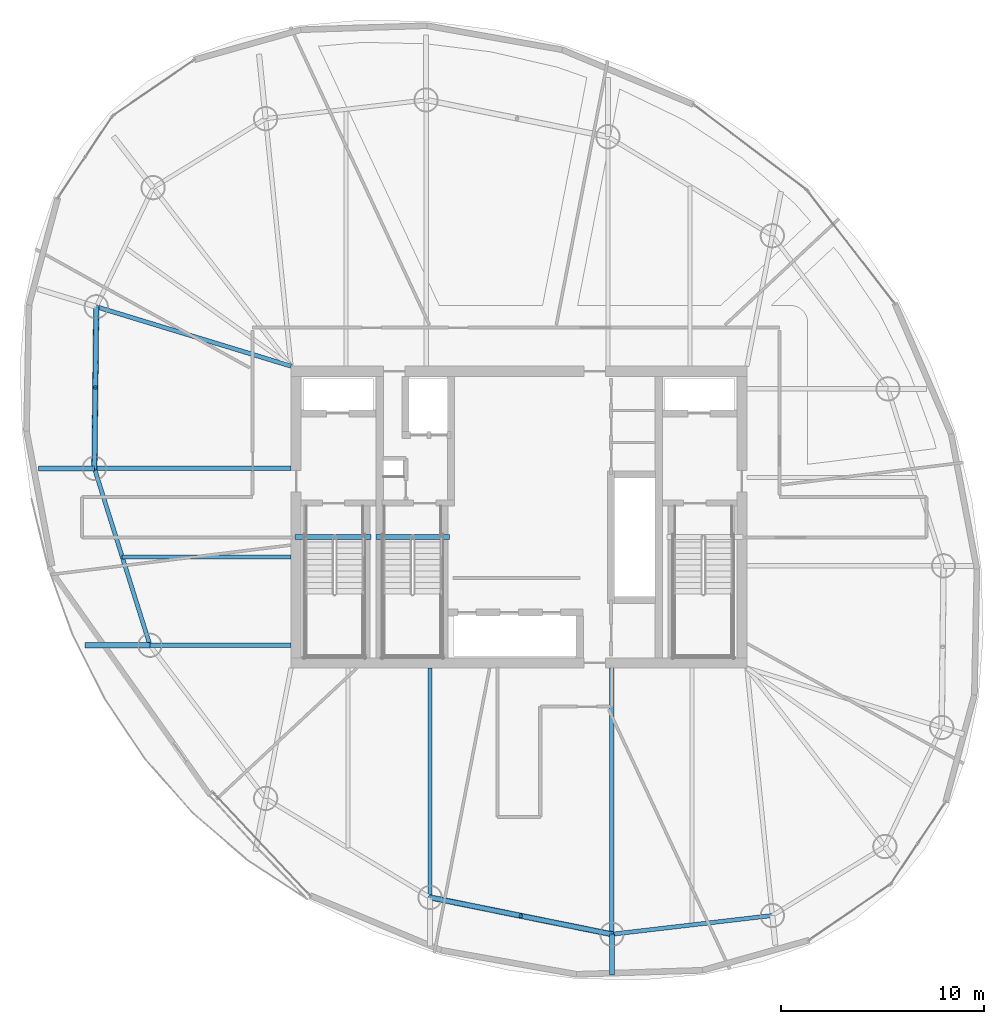
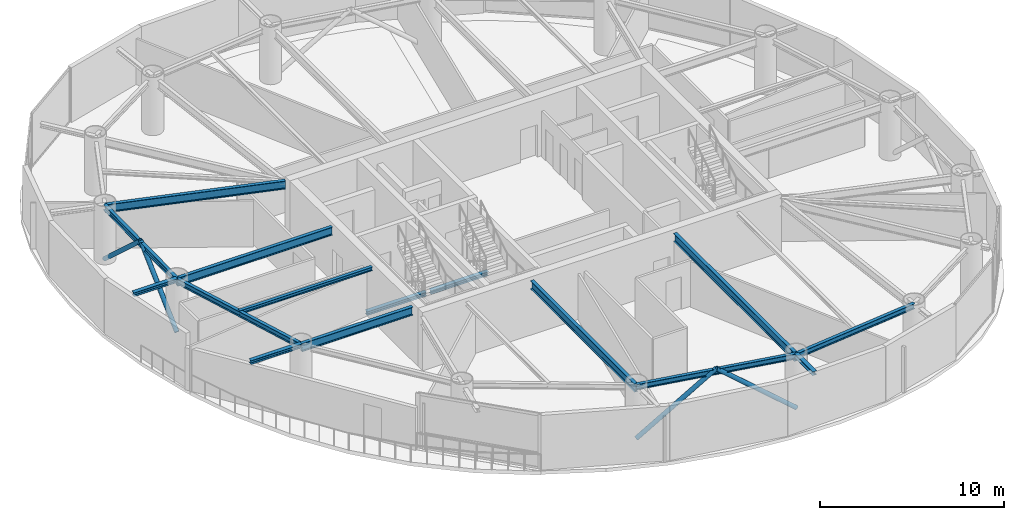
# One storey, part 3 of 16: 15 beams, 4 members.
"""IFC4 building model written with IfcOpenShell, lengths in metres."""

from ifc_helpers import new_model, si_unit, direction, frame, origin, origin_2d, place, context, subcontext, project, spatial, hollow_circle, i_section, extrude, material, material_profile, profile_set, type_object, element, save


model = new_model("IFC4")

# Units and contexts
model_context = context("Model", 3, precision=1e-05, world=origin(), true_north=direction((0.0, 1.0)))
body_context = subcontext(model_context, "Body", "Model", "MODEL_VIEW")
ifc_project = project(units=[si_unit("LENGTHUNIT", "METRE"), si_unit("AREAUNIT", "SQUARE_METRE"), si_unit("VOLUMEUNIT", "CUBIC_METRE"), si_unit("PLANEANGLEUNIT", "RADIAN"), si_unit("MASSUNIT", "GRAM", prefix="KILO")], contexts=[model_context])

# Site, building, storey
site_placement = place(None, origin())
site = spatial("IfcSite", under=ifc_project, at=site_placement, CompositionType="ELEMENT")
building_placement = place(site_placement, origin())
building = spatial("IfcBuilding", under=site, at=building_placement, Name="Bramvorn Convention Spire", CompositionType="ELEMENT")
storey_placement = place(building_placement, frame((0.0, 0.0, 209.699951171875)))
storey = spatial("IfcBuildingStorey", under=building, at=storey_placement, Name="L53", CompositionType="ELEMENT", Elevation=209.699951171875)

# Beams
ifc_material = material(Name="Steel CSA G40.21 Grade 350 (350W)", Category="steel")
ifc_material_profile_1 = material_profile(ifc_material, i_section(OverallWidth=0.201904296875, OverallDepth=0.2470703125, WebThickness=0.00732421875, FlangeThickness=0.010986328125, FilletRadius=0.011962890625, at=origin_2d()))
ifc_profile_set_1 = profile_set([ifc_material_profile_1], Name="Steel CSA G40.21 Grade 350 (350W) - W250X49")
beam_type_1 = type_object("IfcBeamType", Name="BM-W250X49", PredefinedType="JOIST", material=ifc_profile_set_1)
beam_1_placement = place(storey_placement, frame((26.75, 24.039794921875, 3.49658203125), z_axis=(-1.0, 0.0, 0.0), x_axis=(0.0, -1.0, 0.0)))
element("IfcBeam", 1, at=beam_1_placement, inside=storey, type_object=beam_type_1, Name="L53 composite floor joist 11", PredefinedType="JOIST", context=body_context, shape_type="SweptSolid", body=[
    extrude(i_section(OverallWidth=0.201904296875, OverallDepth=0.2470703125, WebThickness=0.00732421875, FlangeThickness=0.010986328125, FilletRadius=0.011962890625, at=origin_2d()), origin(), (0.0, 0.0, 1.0), 8.33251953125),
])
ifc_material_profile_2 = material_profile(ifc_material, i_section(OverallWidth=0.25390625, OverallDepth=0.2529296875, WebThickness=0.008544921875, FlangeThickness=0.01416015625, FilletRadius=0.011962890625, at=origin_2d()))
ifc_profile_set_2 = profile_set([ifc_material_profile_2], Name="Steel CSA G40.21 Grade 350 (350W) - W250X73")
beam_type_2 = type_object("IfcBeamType", Name="BM-W250X73", PredefinedType="BEAM", material=ifc_profile_set_2)
beam_2_placement = place(storey_placement, frame((17.04541015625, 28.406494140625, 3.49365234375), z_axis=(-1.0, 0.0, 0.0), x_axis=(0.0, -1.0, 0.0)))
element("IfcBeam", 2, at=beam_2_placement, inside=storey, type_object=beam_type_2, Name="L53 slab-edge cantilever tip beam MC11", PredefinedType="BEAM", context=body_context, shape_type="SweptSolid", body=[
    extrude(i_section(OverallWidth=0.25390625, OverallDepth=0.2529296875, WebThickness=0.008544921875, FlangeThickness=0.01416015625, FilletRadius=0.011962890625, at=origin_2d()), origin(), (0.0, 0.0, 1.0), 2.747802734375),
])
beam_3_placement = place(storey_placement, frame((19.78955078125, 19.672607421875, 3.49365234375), z_axis=(-1.0, 0.0, 0.0), x_axis=(0.0, -1.0, 0.0)))
element("IfcBeam", 3, at=beam_3_placement, inside=storey, type_object=beam_type_2, Name="L53 slab-edge cantilever tip beam MC12", PredefinedType="BEAM", context=body_context, shape_type="SweptSolid", body=[
    extrude(i_section(OverallWidth=0.25390625, OverallDepth=0.2529296875, WebThickness=0.008544921875, FlangeThickness=0.01416015625, FilletRadius=0.011962890625, at=origin_2d()), origin(), (0.0, 0.0, 1.0), 3.199951171875),
])
beam_4_placement = place(storey_placement, frame((42.583740234375, 5.41162109375, 3.49365234375), z_axis=(0.0, -1.0, 0.0), x_axis=(1.0, 0.0, 0.0)))
element("IfcBeam", 4, at=beam_4_placement, inside=storey, type_object=beam_type_2, Name="L53 slab-edge cantilever tip beam MC15", PredefinedType="BEAM", context=body_context, shape_type="SweptSolid", body=[
    extrude(i_section(OverallWidth=0.25390625, OverallDepth=0.2529296875, WebThickness=0.008544921875, FlangeThickness=0.01416015625, FilletRadius=0.011962890625, at=origin_2d()), origin(), (0.0, 0.0, 1.0), 2.011474609375),
])
beam_5_placement = place(storey_placement, frame((26.949951171875, 25.010009765625, -0.12646484375), z_axis=(1.0, 0.0, 0.0), x_axis=(0.0, 1.0, 0.0)))
element("IfcBeam", 5, at=beam_5_placement, inside=storey, type_object=beam_type_2, Name="L53 ST1 stair arrival header beam", PredefinedType="BEAM", context=body_context, shape_type="SweptSolid", body=[
    extrude(i_section(OverallWidth=0.25390625, OverallDepth=0.2529296875, WebThickness=0.008544921875, FlangeThickness=0.01416015625, FilletRadius=0.011962890625, at=origin_2d()), origin(), (0.0, 0.0, 1.0), 3.739990234375),
])
beam_6_placement = place(storey_placement, frame((30.949951171875, 25.010009765625, -0.12646484375), z_axis=(1.0, 0.0, 0.0), x_axis=(0.0, 1.0, 0.0)))
element("IfcBeam", 6, at=beam_6_placement, inside=storey, type_object=beam_type_2, Name="L53 ST3 stair arrival header beam", PredefinedType="BEAM", context=body_context, shape_type="SweptSolid", body=[
    extrude(i_section(OverallWidth=0.25390625, OverallDepth=0.2529296875, WebThickness=0.008544921875, FlangeThickness=0.01416015625, FilletRadius=0.011962890625, at=origin_2d()), origin(), (0.0, 0.0, 1.0), 3.610107421875),
])
ifc_material_profile_3 = material_profile(ifc_material, i_section(OverallWidth=0.205078125, OverallDepth=0.35400390625, WebThickness=0.009521484375, FlangeThickness=0.016845703125, FilletRadius=0.014892578125, at=origin_2d()))
ifc_profile_set_3 = profile_set([ifc_material_profile_3], Name="Steel CSA G40.21 Grade 350 (350W) - W360X79")
beam_type_3 = type_object("IfcBeamType", Name="BM-W360X79", PredefinedType="JOIST", material=ifc_profile_set_3)
beam_7_placement = place(storey_placement, frame((17.136962890625, 36.380615234375, 3.443115234375), z_axis=(-0.011480475367, -0.999934097171, 0.0), x_axis=(0.999934097171, -0.011480475367, 0.0)))
element("IfcBeam", 7, at=beam_7_placement, inside=storey, type_object=beam_type_3, Name="L53 mega-column ring beam 10", PredefinedType="JOIST", context=body_context, shape_type="SweptSolid", body=[
    extrude(i_section(OverallWidth=0.205078125, OverallDepth=0.35400390625, WebThickness=0.009521484375, FlangeThickness=0.016845703125, FilletRadius=0.014892578125, at=origin_2d()), origin(), (0.0, 0.0, 1.0), 7.974609375),
])
for number, where, z_axis, x_axis, name in (
    (8, (17.04541015625, 28.406494140625, 3.443115234375), (0.299747542929, -0.954018558786, 0.0), (0.954018558786, 0.299747542929, 0.0), "L53 mega-column ring beam 11"),
    (9, (33.61083984375, 7.227783203125, 3.443115234375), (0.980124701676, -0.198382381187, 0.0), (0.198382381187, 0.980124701676, 0.0), "L53 mega-column ring beam 14"),
):
    element("IfcBeam", number, at=place(storey_placement, frame(where, z_axis=z_axis, x_axis=x_axis)), inside=storey, type_object=beam_type_3, Name=name, PredefinedType="JOIST", context=body_context, shape_type="SweptSolid", body=[
        extrude(i_section(OverallWidth=0.205078125, OverallDepth=0.35400390625, WebThickness=0.009521484375, FlangeThickness=0.016845703125, FilletRadius=0.014892578125, at=origin_2d()), origin(), (0.0, 0.0, 1.0), 9.15478515625),
    ])
beam_8_placement = place(storey_placement, frame((42.583740234375, 5.41162109375, 3.443115234375), z_axis=(0.993256148339, 0.115940604561, 0.0), x_axis=(-0.115940604561, 0.993256148339, 0.0)))
element("IfcBeam", 10, at=beam_8_placement, inside=storey, type_object=beam_type_3, Name="L53 mega-column ring beam 15", PredefinedType="JOIST", context=body_context, shape_type="SweptSolid", body=[
    extrude(i_section(OverallWidth=0.205078125, OverallDepth=0.35400390625, WebThickness=0.009521484375, FlangeThickness=0.016845703125, FilletRadius=0.014892578125, at=origin_2d()), origin(), (0.0, 0.0, 1.0), 7.974365234375),
])
ifc_material_profile_4 = material_profile(ifc_material, i_section(OverallWidth=0.2119140625, OverallDepth=0.5439453125, WebThickness=0.01318359375, FlangeThickness=0.021240234375, FilletRadius=0.01904296875, at=origin_2d()))
ifc_profile_set_4 = profile_set([ifc_material_profile_4], Name="Steel CSA G40.21 Grade 350 (350W) - W530X123")
beam_type_4 = type_object("IfcBeamType", Name="BM-W530X123", PredefinedType="BEAM", material=ifc_profile_set_4)
beam_9_placement = place(storey_placement, frame((26.75, 33.449951171875, 3.34814453125), z_axis=(-0.95653637984, 0.291613021044, 0.0), x_axis=(-0.291613021044, -0.95653637984, 0.0)))
element("IfcBeam", 11, at=beam_9_placement, inside=storey, type_object=beam_type_4, Name="L53 radial floor girder MC10", PredefinedType="BEAM", context=body_context, shape_type="SweptSolid", body=[
    extrude(i_section(OverallWidth=0.2119140625, OverallDepth=0.5439453125, WebThickness=0.01318359375, FlangeThickness=0.021240234375, FilletRadius=0.01904296875, at=origin_2d()), origin(), (0.0, 0.0, 1.0), 10.0498046875),
])
beam_10_placement = place(storey_placement, frame((26.75, 28.406494140625, 3.34814453125), z_axis=(-1.0, 0.0, 0.0), x_axis=(0.0, -1.0, 0.0)))
element("IfcBeam", 12, at=beam_10_placement, inside=storey, type_object=beam_type_4, Name="L53 radial floor girder MC11", PredefinedType="BEAM", context=body_context, shape_type="SweptSolid", body=[
    extrude(i_section(OverallWidth=0.2119140625, OverallDepth=0.5439453125, WebThickness=0.01318359375, FlangeThickness=0.021240234375, FilletRadius=0.01904296875, at=origin_2d()), origin(), (0.0, 0.0, 1.0), 9.70458984375),
])
beam_11_placement = place(storey_placement, frame((26.75, 19.672607421875, 3.34814453125), z_axis=(-1.0, 0.0, 0.0), x_axis=(0.0, -1.0, 0.0)))
element("IfcBeam", 13, at=beam_11_placement, inside=storey, type_object=beam_type_4, Name="L53 radial floor girder MC12", PredefinedType="BEAM", context=body_context, shape_type="SweptSolid", body=[
    extrude(i_section(OverallWidth=0.2119140625, OverallDepth=0.5439453125, WebThickness=0.01318359375, FlangeThickness=0.021240234375, FilletRadius=0.01904296875, at=origin_2d()), origin(), (0.0, 0.0, 1.0), 6.96044921875),
])
beam_12_placement = place(storey_placement, frame((33.61083984375, 18.550048828125, 3.34814453125), z_axis=(0.0, -1.0, 0.0), x_axis=(1.0, 0.0, 0.0)))
element("IfcBeam", 14, at=beam_12_placement, inside=storey, type_object=beam_type_4, Name="L53 radial floor girder MC14", PredefinedType="BEAM", context=body_context, shape_type="SweptSolid", body=[
    extrude(i_section(OverallWidth=0.2119140625, OverallDepth=0.5439453125, WebThickness=0.01318359375, FlangeThickness=0.021240234375, FilletRadius=0.01904296875, at=origin_2d()), origin(), (0.0, 0.0, 1.0), 11.322265625),
])
beam_13_placement = place(storey_placement, frame((42.583740234375, 18.550048828125, 3.34814453125), z_axis=(0.0, -1.0, 0.0), x_axis=(1.0, 0.0, 0.0)))
element("IfcBeam", 15, at=beam_13_placement, inside=storey, type_object=beam_type_4, Name="L53 radial floor girder MC15", PredefinedType="BEAM", context=body_context, shape_type="SweptSolid", body=[
    extrude(i_section(OverallWidth=0.2119140625, OverallDepth=0.5439453125, WebThickness=0.01318359375, FlangeThickness=0.021240234375, FilletRadius=0.01904296875, at=origin_2d()), origin(), (0.0, 0.0, 1.0), 13.138427734375),
])

# Members
ifc_material_profile_5 = material_profile(ifc_material, hollow_circle(Radius=0.136474609375, WallThickness=0.0126953125, at=origin_2d()))
ifc_profile_set_5 = profile_set([ifc_material_profile_5], Name="Steel CSA G40.21 Grade 350 (350W) - CHS273X13")
member_type = type_object("IfcMemberType", Name="MBR-CHS273X13", PredefinedType="BRACE", material=ifc_profile_set_5)
for number, where, z_axis, x_axis, name in (
    (16, (17.136962890625, 36.380615234375, 0.0), (-0.008522537115, -0.740327412931, 0.672192448652), (0.999933745256, -0.011511085917, 0.0), "L53 perimeter Gothic lancet brace 10A"),
    (17, (17.04541015625, 28.406494140625, 0.0), (0.008477207738, 0.740327698195, 0.672192707662), (-0.99993444815, 0.011449864785, 0.0), "L53 perimeter Gothic lancet brace 10B"),
):
    element("IfcMember", number, at=place(storey_placement, frame(where, z_axis=z_axis, x_axis=x_axis)), inside=storey, type_object=member_type, Name=name, PredefinedType="BRACE", context=body_context, shape_type="SweptSolid", body=[
        extrude(hollow_circle(Radius=0.136474609375, WallThickness=0.0126953125, at=origin_2d()), origin(), (0.0, 0.0, 1.0), 5.385498046875),
    ])
for number, where, z_axis, x_axis, name in (
    (18, (33.61083984375, 7.227783203125, 0.0), (0.768774413927, -0.155578823823, 0.62030728681), (0.198351578089, 0.98013093588, 0.0), "L53 perimeter Gothic lancet brace 14A"),
    (19, (42.583740234375, 5.41162109375, 0.0), (-0.768752299453, 0.155624649215, 0.620323198536), (-0.198413185373, -0.980118466243, 0.0), "L53 perimeter Gothic lancet brace 14B"),
):
    element("IfcMember", number, at=place(storey_placement, frame(where, z_axis=z_axis, x_axis=x_axis)), inside=storey, type_object=member_type, Name=name, PredefinedType="BRACE", context=body_context, shape_type="SweptSolid", body=[
        extrude(hollow_circle(Radius=0.136474609375, WallThickness=0.0126953125, at=origin_2d()), origin(), (0.0, 0.0, 1.0), 5.8359375),
    ])

save(model, "model.ifc")
